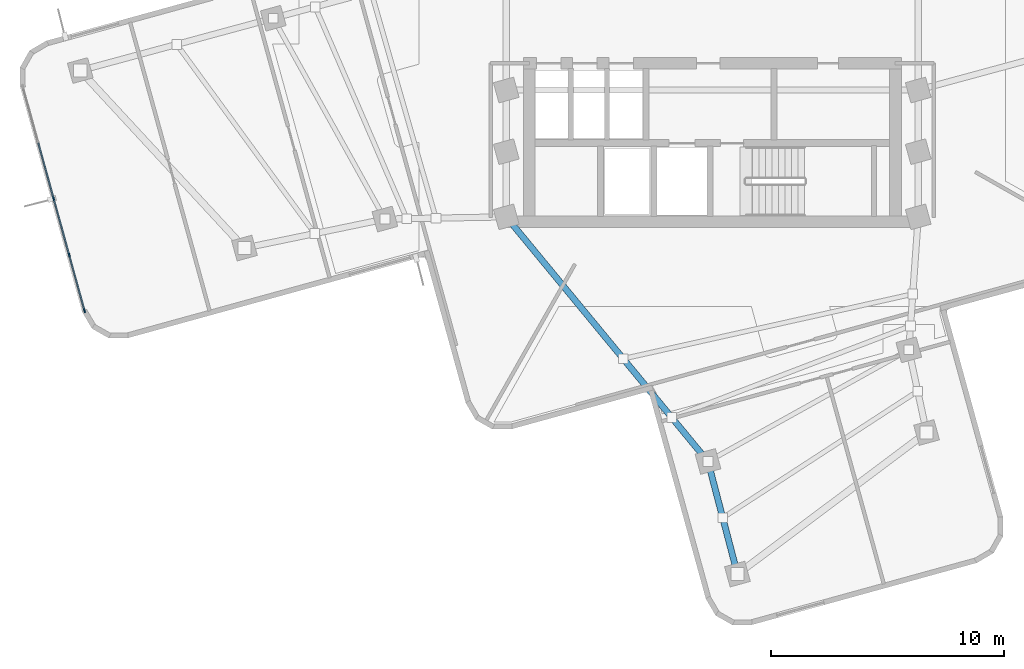
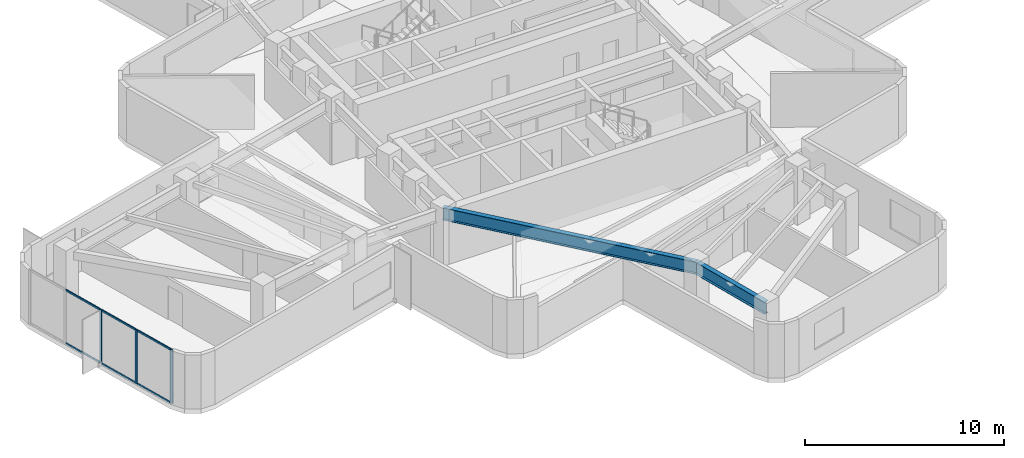
# One storey, part 2 of 12: 9 members, 2 beams, 1 element without a shape of its own.
"""IFC4 building model written with IfcOpenShell, lengths in metres."""

import ifcopenshell
import ifcopenshell.guid

model = None  # the IFC model being written
_history = None  # IfcOwnerHistory: only IFC2X3 demands one
_inside = {}  # id of a spatial element -> (the spatial element, [elements in it])
_under = {}  # id of a project, library or spatial element -> (it, [spatial elements below it])
_declared = {}  # id of a project -> (the project, [libraries it declares])
_typed = {}  # id of a type object -> (the type object, [elements of that type])
_made_of = {}  # id of a material, layer set ... -> (it, [elements and type objects made of it])


def new_model(schema):
    """Start an empty IFC model of exactly this schema.

    Asked for "IFC4X3", IfcOpenShell would pick the latest addendum, in which some entities
    have other attributes; the version numbers below select the first issue.
    IFC2X3 requires an IfcOwnerHistory on every rooted entity: one is made here for all.
    """
    global model, _history
    if schema == "IFC4X3":
        model = ifcopenshell.file(schema_version=(4, 3, 0, 0))
    else:
        model = ifcopenshell.file(schema=schema)
    _inside.clear()
    _under.clear()
    _declared.clear()
    _typed.clear()
    _made_of.clear()
    _history = None
    if model.schema == "IFC2X3":
        org = make("IfcOrganization", Name="unknown")
        user = make(
            "IfcPersonAndOrganization",
            ThePerson=make("IfcPerson", FamilyName="unknown"),
            TheOrganization=org,
        )
        app = make(
            "IfcApplication",
            ApplicationDeveloper=org,
            Version="unknown",
            ApplicationFullName="unknown",
            ApplicationIdentifier="unknown",
        )
        _history = make(
            "IfcOwnerHistory",
            OwningUser=user,
            OwningApplication=app,
            ChangeAction="ADDED",
            CreationDate=0,
        )
    return model


def make(cls, **values):
    """One entity of the class cls with the attributes given. An attribute that is None is left unset."""
    return model.create_entity(
        cls, **{name: value for name, value in values.items() if value is not None}
    )


def rooted(cls, **values):
    """An entity with a GlobalId (a new one), such as an element, a storey or a relation."""
    return make(cls, GlobalId=ifcopenshell.guid.new(), OwnerHistory=_history, **values)


def si_unit(unit_type, name, prefix=None):
    """IfcSIUnit, for example si_unit("LENGTHUNIT", "METRE", prefix="MILLI")."""
    return make("IfcSIUnit", UnitType=unit_type, Prefix=prefix, Name=name)


def assignment(units):
    """IfcUnitAssignment: the units of a project."""
    return None if units is None else make("IfcUnitAssignment", Units=units)


def point(xyz):
    """IfcCartesianPoint."""
    return None if xyz is None else make("IfcCartesianPoint", Coordinates=xyz)


def direction(xyz):
    """IfcDirection."""
    return None if xyz is None else make("IfcDirection", DirectionRatios=xyz)


def frame(location, z_axis=None, x_axis=None):
    """IfcAxis2Placement3D, a coordinate frame: its origin and axes. An axis left out is left unset."""
    return make(
        "IfcAxis2Placement3D",
        Location=point(location),
        Axis=direction(z_axis),
        RefDirection=direction(x_axis),
    )


def frame_2d(location, x_axis=None):
    """IfcAxis2Placement2D, a coordinate frame in the plane: its origin and x axis."""
    return make(
        "IfcAxis2Placement2D", Location=point(location), RefDirection=direction(x_axis)
    )


def origin():
    """The frame at (0, 0, 0) with its axes left unset."""
    return frame((0.0, 0.0, 0.0))


def origin_2d():
    """The frame at (0, 0) in the plane with its x axis left unset."""
    return frame_2d((0.0, 0.0))


def place(relative_to, where):
    """IfcLocalPlacement: puts the frame where relative to a parent placement (None: the world)."""
    return make(
        "IfcLocalPlacement", PlacementRelTo=relative_to, RelativePlacement=where
    )


def context(
    kind, dimensions, precision=None, world=None, true_north=None, identifier=None
):
    """IfcGeometricRepresentationContext, for example the 3D "Model" context."""
    return make(
        "IfcGeometricRepresentationContext",
        ContextIdentifier=identifier,
        ContextType=kind,
        CoordinateSpaceDimension=dimensions,
        Precision=precision,
        WorldCoordinateSystem=world,
        TrueNorth=true_north,
    )


def subcontext(parent, identifier, kind, view, scale=None):
    """IfcGeometricRepresentationSubContext, for example "Body" below "Model"."""
    return make(
        "IfcGeometricRepresentationSubContext",
        ContextIdentifier=identifier,
        ContextType=kind,
        ParentContext=parent,
        TargetScale=scale,
        TargetView=view,
    )


def project(units=None, contexts=None):
    """IfcProject with its units and contexts."""
    return rooted(
        "IfcProject",
        Name="project",
        RepresentationContexts=contexts,
        UnitsInContext=assignment(units),
    )


def spatial(cls, under=None, at=None, **own):
    """A site, building, storey or space (cls), placed at a placement, below another one or the project."""
    s = rooted(cls, ObjectPlacement=at, **own)
    if under is not None:
        _under.setdefault(under.id(), (under, []))[1].append(s)
    return s


def profile(cls, at=None, kind="AREA", **sizes):
    """A parametric profile (cls). Its sizes go by their IFC names, for example OverallWidth=200.0."""
    return make(cls, ProfileType=kind, Position=at, **sizes)


def rectangle(**sizes):
    """IfcRectangleProfileDef."""
    return profile("IfcRectangleProfileDef", **sizes)


def i_section(**sizes):
    """IfcIShapeProfileDef."""
    return profile("IfcIShapeProfileDef", **sizes)


def extrude(swept, where, along, depth):
    """IfcExtrudedAreaSolid: the profile swept, set in the frame where, extruded along a direction by depth."""
    return make(
        "IfcExtrudedAreaSolid",
        SweptArea=swept,
        Position=where,
        ExtrudedDirection=direction(along),
        Depth=depth,
    )


def shape(context_of_items, identifier, shape_type, items):
    """IfcShapeRepresentation: the items that make up one representation, for example the "Body"."""
    return make(
        "IfcShapeRepresentation",
        ContextOfItems=context_of_items,
        RepresentationIdentifier=identifier,
        RepresentationType=shape_type,
        Items=items,
    )


def material(Name=None, Category=None):
    """IfcMaterial."""
    return make("IfcMaterial", Name=Name, Category=Category)


def layer(
    of_material, thickness, ventilated=None, Name=None, Category=None, Priority=None
):
    """IfcMaterialLayer: one layer of a wall or slab, of a material (None: an air gap)."""
    return make(
        "IfcMaterialLayer",
        Material=of_material,
        LayerThickness=thickness,
        IsVentilated=ventilated,
        Name=Name,
        Category=Category,
        Priority=Priority,
    )


def layer_set(layers, Name=None):
    """IfcMaterialLayerSet."""
    return make("IfcMaterialLayerSet", MaterialLayers=layers, LayerSetName=Name)


def material_profile(
    of_material, cross_section, Name=None, Category=None, Priority=None
):
    """IfcMaterialProfile: a cross section and its material."""
    return make(
        "IfcMaterialProfile",
        Name=Name,
        Material=of_material,
        Profile=cross_section,
        Priority=Priority,
        Category=Category,
    )


def profile_set(profiles, Name=None, composite=None):
    """IfcMaterialProfileSet."""
    return make(
        "IfcMaterialProfileSet",
        Name=Name,
        MaterialProfiles=profiles,
        CompositeProfile=composite,
    )


def made_of(thing, what):
    """Note that an element or type object is made of a material, layer set ...; save() writes the relation."""
    if what is not None:
        _made_of.setdefault(what.id(), (what, []))[1].append(thing)
    return thing


def type_object(cls, material=None, **own):
    """A type object (cls), such as IfcWallType, which elements share."""
    return made_of(rooted(cls, **own), material)


def element(
    cls,
    number,
    at=None,
    inside=None,
    cuts=None,
    type_object=None,
    material=None,
    context=None,
    identifier="Body",
    shape_type=None,
    held_by="IfcProductDefinitionShape",
    body=None,
    shapes=None,
    **own,
):
    """One element of the class cls, such as IfcWall. Its Tag is "e" and its number.

    at: its placement. inside: the storey or other place that contains it. cuts: it is an
    opening in that element (IfcRelVoidsElement). A single representation is given by context,
    identifier, shape_type and body (its items); several are given by shapes. held_by: the class
    of the entity that holds the representations. save() writes the other relations.
    """
    e = rooted(cls, Tag="e%d" % number, ObjectPlacement=at, **own)
    if body is not None:
        shapes = [shape(context, identifier, shape_type, body)]
    if shapes is not None:
        e.Representation = make(held_by, Representations=shapes)
    if inside is not None:
        _inside.setdefault(inside.id(), (inside, []))[1].append(e)
    if cuts is not None:
        rooted(
            "IfcRelVoidsElement", RelatingBuildingElement=cuts, RelatedOpeningElement=e
        )
    if type_object is not None:
        _typed.setdefault(type_object.id(), (type_object, []))[1].append(e)
    return made_of(e, material)


def aggregate(whole, parts):
    """IfcRelAggregates: a whole, such as a stair, and the parts it consists of."""
    return rooted("IfcRelAggregates", RelatingObject=whole, RelatedObjects=parts)


def save(model, path):
    """Write the relations noted so far, then the file.

    IfcRelAggregates (storeys below a building ...), IfcRelContainedInSpatialStructure (elements
    in a storey), IfcRelDefinesByType, IfcRelAssociatesMaterial and IfcRelDeclares: one each for
    every whole, place, type object, material and project.
    """
    for whole, parts in _under.values():
        aggregate(whole, parts)
    for where, things in _inside.values():
        rooted(
            "IfcRelContainedInSpatialStructure",
            RelatedElements=things,
            RelatingStructure=where,
        )
    for kind, things in _typed.values():
        rooted("IfcRelDefinesByType", RelatedObjects=things, RelatingType=kind)
    for what, things in _made_of.values():
        rooted("IfcRelAssociatesMaterial", RelatedObjects=things, RelatingMaterial=what)
    for by, libraries in _declared.values():
        rooted("IfcRelDeclares", RelatingContext=by, RelatedDefinitions=libraries)
    model.write(path)


model = new_model("IFC4")

# Units and contexts
model_context = context("Model", 3, precision=1e-05, world=origin(), true_north=direction((0.0, 1.0)))
body_context = subcontext(model_context, "Body", "Model", "MODEL_VIEW")
ifc_project = project(units=[si_unit("LENGTHUNIT", "METRE"), si_unit("AREAUNIT", "SQUARE_METRE"), si_unit("VOLUMEUNIT", "CUBIC_METRE"), si_unit("PLANEANGLEUNIT", "RADIAN"), si_unit("MASSUNIT", "GRAM", prefix="KILO")], contexts=[model_context])

# Site, building, storey
site_placement = place(None, origin())
site = spatial("IfcSite", under=ifc_project, at=site_placement, CompositionType="ELEMENT")
building_placement = place(site_placement, origin())
building = spatial("IfcBuilding", under=site, at=building_placement, Name="Solmarez Civic Tower", CompositionType="ELEMENT")
storey_placement = place(building_placement, frame((0.0, 0.0, 134.280029296875)))
storey = spatial("IfcBuildingStorey", under=building, at=storey_placement, Name="L35", CompositionType="ELEMENT", Elevation=134.280029296875)

# Beams
ifc_material_1 = material(Name="Steel S355", Category="steel")
ifc_material_profile_1 = material_profile(ifc_material_1, i_section(OverallWidth=0.26708984375, OverallDepth=0.761962890625, WebThickness=0.014404296875, FlangeThickness=0.021484375, at=origin_2d()), Name="W30X116")
ifc_profile_set_1 = profile_set([ifc_material_profile_1], Name="Steel S355")
beam_type = type_object("IfcBeamType", Name="BM-PR-W30X116", PredefinedType="BEAM", material=ifc_profile_set_1)
beam_1_placement = place(storey_placement, frame((-8.85009765625, -8.35009765625, 2.93896484375), z_axis=(0.636218453069, -0.77150896299, 0.0), x_axis=(0.77150896299, 0.636218453069, 0.0)))
element("IfcBeam", 1, at=beam_1_placement, inside=storey, type_object=beam_type, Name="L35 Primary Floor Beam BM-L35-SA-R1A", PredefinedType="BEAM", context=body_context, shape_type="SweptSolid", body=[
    extrude(i_section(OverallWidth=0.26708984375, OverallDepth=0.761962890625, WebThickness=0.014404296875, FlangeThickness=0.021484375, at=origin_2d()), origin(), (0.0, 0.0, 1.0), 13.62255859375),
])
beam_2_placement = place(storey_placement, frame((-0.18310546875, -18.860107421875, 2.93896484375), z_axis=(0.253228832632, -0.967406408043, 0.0), x_axis=(0.967406408043, 0.253228832632, 0.0)))
element("IfcBeam", 2, at=beam_2_placement, inside=storey, type_object=beam_type, Name="L35 Primary Floor Beam BM-L35-SA-R2A", PredefinedType="BEAM", context=body_context, shape_type="SweptSolid", body=[
    extrude(i_section(OverallWidth=0.26708984375, OverallDepth=0.761962890625, WebThickness=0.014404296875, FlangeThickness=0.021484375, at=origin_2d()), origin(), (0.0, 0.0, 1.0), 5.0),
])

# Curtain wall, members
ifc_material_2 = material(Name="Bronze Anodised Aluminium EN AW-6063 T6", Category="aluminium")
ifc_layer = layer(ifc_material_2, 0.175048828125)
ifc_layer_set = layer_set([ifc_layer], Name="Bronze Anodised Aluminium EN AW-6063 T6")
curtain_wall_type = type_object("IfcCurtainWallType", Name="CW-SYS-3", PredefinedType="NOTDEFINED", material=ifc_layer_set)
curtain_wall_placement = place(storey_placement, origin())
curtain_wall = element("IfcCurtainWall", 3, at=curtain_wall_placement, inside=storey, type_object=curtain_wall_type, Name="L35 Stick-Built Curtain Wall 1", PredefinedType="NOTDEFINED")
ifc_material_profile_2 = material_profile(ifc_material_2, rectangle(XDim=0.06494140625, YDim=0.1650390625, at=origin_2d()), Name="CWM-65X165")
ifc_profile_set_2 = profile_set([ifc_material_profile_2], Name="Bronze Anodised Aluminium EN AW-6063 T6")
member_type_1 = type_object("IfcMemberType", Name="CWM-TYPE-3", PredefinedType="MULLION", material=ifc_profile_set_2)
member_1_placement = place(storey_placement, frame((-26.9697265625, -12.384765625, 0.0), z_axis=(0.0, 0.0, 1.0), x_axis=(-0.964090954612, -0.265572271208, 0.0)))
member_1 = element("IfcMember", 4, at=member_1_placement, type_object=member_type_1, Name="CWS3 mullion 1", PredefinedType="MULLION", context=body_context, shape_type="SweptSolid", body=[
    extrude(rectangle(XDim=0.06494140625, YDim=0.1650390625, at=origin_2d()), origin(), (0.0, 0.0, 1.0), 3.320068359375),
])
member_2_placement = place(storey_placement, frame((-27.62890625, -9.990966796875, 0.0), z_axis=(0.0, 0.0, 1.0), x_axis=(-0.964090954612, -0.265572271208, 0.0)))
member_2 = element("IfcMember", 5, at=member_2_placement, type_object=member_type_1, Name="CWS3 mullion 2", PredefinedType="MULLION", context=body_context, shape_type="SweptSolid", body=[
    extrude(rectangle(XDim=0.06494140625, YDim=0.1650390625, at=origin_2d()), origin(), (0.0, 0.0, 1.0), 3.320068359375),
])
member_3_placement = place(storey_placement, frame((-28.297119140625, -7.56591796875, 0.0), z_axis=(0.0, 0.0, 1.0), x_axis=(-0.964090954612, -0.265572271208, 0.0)))
member_3 = element("IfcMember", 6, at=member_3_placement, type_object=member_type_1, Name="CWS3 mullion 3", PredefinedType="MULLION", context=body_context, shape_type="SweptSolid", body=[
    extrude(rectangle(XDim=0.06494140625, YDim=0.1650390625, at=origin_2d()), origin(), (0.0, 0.0, 1.0), 3.320068359375),
])
ifc_material_profile_3 = material_profile(ifc_material_2, rectangle(XDim=0.06005859375, YDim=0.110107421875, at=origin_2d()), Name="CWT-60X110")
ifc_profile_set_3 = profile_set([ifc_material_profile_3], Name="Bronze Anodised Aluminium EN AW-6063 T6")
member_type_2 = type_object("IfcMemberType", Name="CWT-TYPE-3", PredefinedType="USERDEFINED", material=ifc_profile_set_3)
member_4_placement = place(storey_placement, frame((-26.978271484375, -12.353271484375, 0.030029296875), z_axis=(-0.265560118816, 0.964094302075, 0.0), x_axis=(-0.964094302075, -0.265560118816, 0.0)))
member_4 = element("IfcMember", 7, at=member_4_placement, type_object=member_type_2, Name="CWS3 transom 1.1", ObjectType="TRANSOM", PredefinedType="USERDEFINED", context=body_context, shape_type="SweptSolid", body=[
    extrude(rectangle(XDim=0.06005859375, YDim=0.110107421875, at=origin_2d()), origin(), (0.0, 0.0, 1.0), 2.41796875),
])
member_5_placement = place(storey_placement, frame((-26.978271484375, -12.353271484375, 3.2900390625), z_axis=(-0.265560118816, 0.964094302075, 0.0), x_axis=(-0.964094302075, -0.265560118816, 0.0)))
member_5 = element("IfcMember", 8, at=member_5_placement, type_object=member_type_2, Name="CWS3 transom 1.2", ObjectType="TRANSOM", PredefinedType="USERDEFINED", context=body_context, shape_type="SweptSolid", body=[
    extrude(rectangle(XDim=0.06005859375, YDim=0.110107421875, at=origin_2d()), origin(), (0.0, 0.0, 1.0), 2.41796875),
])
member_6_placement = place(storey_placement, frame((-27.6376953125, -9.959716796875, 0.030029296875), z_axis=(-0.265536257751, 0.964100874297, 0.0), x_axis=(-0.964100874297, -0.265536257751, 0.0)))
member_6 = element("IfcMember", 9, at=member_6_placement, type_object=member_type_2, Name="CWS3 transom 2.1", ObjectType="TRANSOM", PredefinedType="USERDEFINED", context=body_context, shape_type="SweptSolid", body=[
    extrude(rectangle(XDim=0.06005859375, YDim=0.110107421875, at=origin_2d()), origin(), (0.0, 0.0, 1.0), 2.4501953125),
])
member_7_placement = place(storey_placement, frame((-27.6376953125, -9.959716796875, 3.2900390625), z_axis=(-0.265536257751, 0.964100874297, 0.0), x_axis=(-0.964100874297, -0.265536257751, 0.0)))
member_7 = element("IfcMember", 10, at=member_7_placement, type_object=member_type_2, Name="CWS3 transom 2.2", ObjectType="TRANSOM", PredefinedType="USERDEFINED", context=body_context, shape_type="SweptSolid", body=[
    extrude(rectangle(XDim=0.06005859375, YDim=0.110107421875, at=origin_2d()), origin(), (0.0, 0.0, 1.0), 2.4501953125),
])
member_8_placement = place(storey_placement, frame((-28.3056640625, -7.53466796875, 0.030029296875), z_axis=(-0.265536257751, 0.964100874297, 0.0), x_axis=(-0.964100874297, -0.265536257751, 0.0)))
member_8 = element("IfcMember", 11, at=member_8_placement, type_object=member_type_2, Name="CWS3 transom 3.1", ObjectType="TRANSOM", PredefinedType="USERDEFINED", context=body_context, shape_type="SweptSolid", body=[
    extrude(rectangle(XDim=0.06005859375, YDim=0.110107421875, at=origin_2d()), origin(), (0.0, 0.0, 1.0), 2.4501953125),
])
member_9_placement = place(storey_placement, frame((-28.3056640625, -7.53466796875, 3.2900390625), z_axis=(-0.265536257751, 0.964100874297, 0.0), x_axis=(-0.964100874297, -0.265536257751, 0.0)))
member_9 = element("IfcMember", 12, at=member_9_placement, type_object=member_type_2, Name="CWS3 transom 3.2", ObjectType="TRANSOM", PredefinedType="USERDEFINED", context=body_context, shape_type="SweptSolid", body=[
    extrude(rectangle(XDim=0.06005859375, YDim=0.110107421875, at=origin_2d()), origin(), (0.0, 0.0, 1.0), 2.4501953125),
])
aggregate(curtain_wall, [member_1, member_2, member_3, member_4, member_5, member_6, member_7, member_8, member_9])

save(model, "model.ifc")
